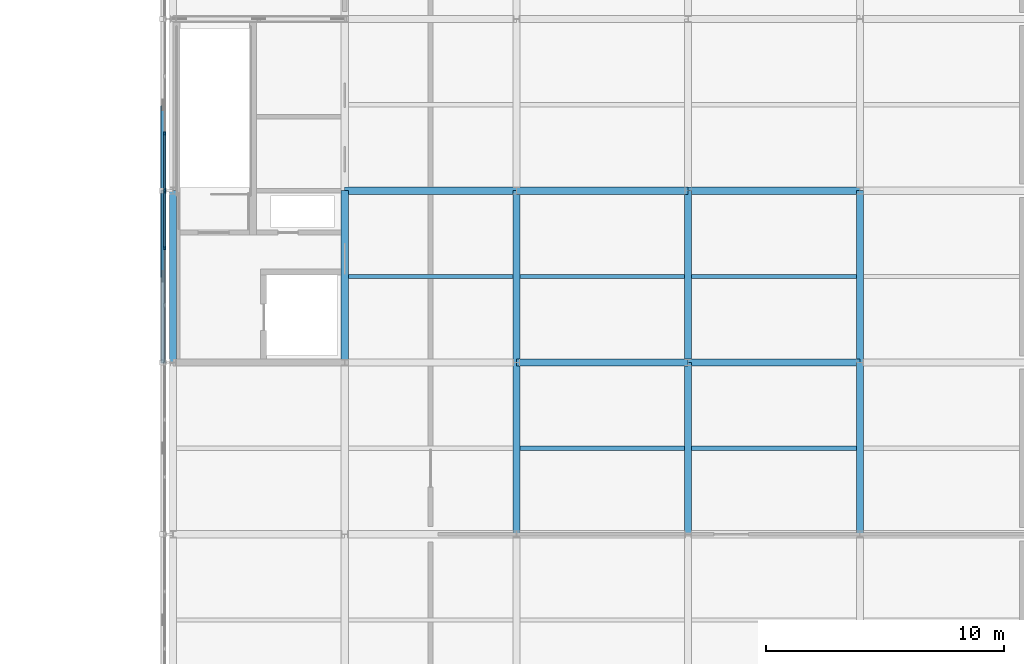
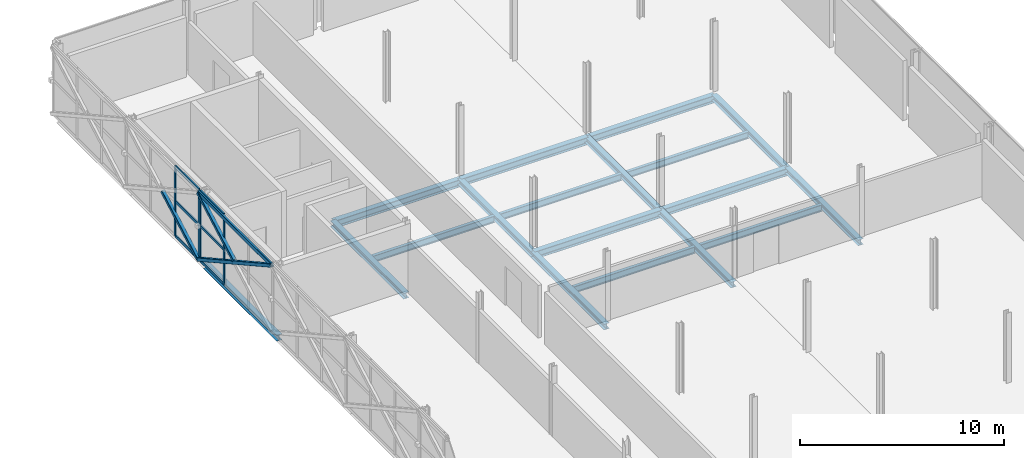
# One storey, part 75 of 146: 18 beams, 14 members, 2 elements without a shape of their own.
"""IFC4 building model written with IfcOpenShell, lengths in metres."""

from ifc_helpers import new_model, si_unit, direction, frame, origin, origin_2d, place, context, subcontext, project, spatial, rectangle, hollow_rectangle, i_section, extrude, material, material_profile, profile_set, type_object, element, aggregate, save


model = new_model("IFC4")

# Units and contexts
model_context = context("Model", 3, precision=1e-05, world=origin(), true_north=direction((0.0, 1.0)))
body_context = subcontext(model_context, "Body", "Model", "MODEL_VIEW")
ifc_project = project(units=[si_unit("LENGTHUNIT", "METRE"), si_unit("AREAUNIT", "SQUARE_METRE"), si_unit("VOLUMEUNIT", "CUBIC_METRE"), si_unit("PLANEANGLEUNIT", "RADIAN"), si_unit("MASSUNIT", "GRAM", prefix="KILO")], contexts=[model_context])

# Site, building, storey
site_placement = place(None, origin())
site = spatial("IfcSite", under=ifc_project, at=site_placement, CompositionType="ELEMENT")
building_placement = place(site_placement, origin())
building = spatial("IfcBuilding", under=site, at=building_placement, Name="Zlatovets Crest Museum", CompositionType="ELEMENT")
storey_placement = place(building_placement, frame((0.0, 0.0, 4.5)))
storey = spatial("IfcBuildingStorey", under=building, at=storey_placement, Name="L01", CompositionType="ELEMENT", Elevation=4.5)

# Beams
ifc_material_1 = material(Name="Structural steel S355J2", Category="steel")
ifc_material_profile_1 = material_profile(ifc_material_1, i_section(OverallWidth=0.300048828125, OverallDepth=0.35009765625, WebThickness=0.010009765625, FlangeThickness=0.017578125, FilletRadius=0.027099609375, at=origin_2d()), Name="HEA 360")
ifc_profile_set_1 = profile_set([ifc_material_profile_1], Name="Structural steel S355J2")
beam_type_1 = type_object("IfcBeamType", Name="Beam_B-03", PredefinedType="BEAM", material=ifc_profile_set_1)
for number, where, z_axis, x_axis, name in (
    (1, (129.60009765625, 79.199951171875, -0.39501953125), (0.0, 1.0, 0.0), (-1.0, 0.0, 0.0), "V5 L01 Grid Beam B-03"),
    (2, (136.800048828125, 79.199951171875, -0.39501953125), (0.0, 1.0, 0.0), (-1.0, 0.0, 0.0), "V5 L01 Grid Beam B-03"),
    (3, (144.0, 72.0, -0.39501953125), (0.0, 1.0, 0.0), (-1.0, 0.0, 0.0), "V5 L01 Grid Beam B-03"),
    (4, (144.0, 79.199951171875, -0.39501953125), (0.0, 1.0, 0.0), (-1.0, 0.0, 0.0), "V5 L01 Grid Beam B-03"),
    (5, (151.199951171875, 72.0, -0.39501953125), (0.0, 1.0, 0.0), (-1.0, 0.0, 0.0), "V5 L01 Grid Beam B-03"),
    (6, (151.199951171875, 79.199951171875, -0.39501953125), (0.0, 1.0, 0.0), (-1.0, 0.0, 0.0), "V5 L01 Grid Beam B-03"),
    (7, (158.39990234375, 72.0, -0.39501953125), (0.0, 1.0, 0.0), (-1.0, 0.0, 0.0), "V5 L01 Grid Beam B-03"),
    (8, (158.39990234375, 79.199951171875, -0.39501953125), (0.0, 1.0, 0.0), (-1.0, 0.0, 0.0), "V5 L01 Grid Beam B-03"),
):
    element("IfcBeam", number, at=place(storey_placement, frame(where, z_axis=z_axis, x_axis=x_axis)), inside=storey, type_object=beam_type_1, Name=name, PredefinedType="BEAM", context=body_context, shape_type="SweptSolid", body=[
        extrude(i_section(OverallWidth=0.300048828125, OverallDepth=0.35009765625, WebThickness=0.010009765625, FlangeThickness=0.017578125, FilletRadius=0.027099609375, at=origin_2d()), origin(), (0.0, 0.0, 1.0), 7.199951171875),
    ])
ifc_material_profile_2 = material_profile(ifc_material_1, i_section(OverallWidth=0.300048828125, OverallDepth=0.43994140625, WebThickness=0.011474609375, FlangeThickness=0.02099609375, FilletRadius=0.027099609375, at=origin_2d()), Name="HEA 450")
ifc_profile_set_2 = profile_set([ifc_material_profile_2], Name="Structural steel S355J2")
beam_type_2 = type_object("IfcBeamType", Name="Beam_B-10", PredefinedType="BEAM", material=ifc_profile_set_2)
for number, where, z_axis, x_axis, name in (
    (9, (144.0, 79.199951171875, -0.43994140625), (1.0, 0.0, 0.0), (0.0, 1.0, 0.0), "V5 L01 Primary Girder B-10"),
    (10, (151.199951171875, 79.199951171875, -0.43994140625), (1.0, 0.0, 0.0), (0.0, 1.0, 0.0), "V5 L01 Primary Girder B-10"),
    (11, (136.800048828125, 86.39990234375, -0.43994140625), (1.0, 0.0, 0.0), (0.0, 1.0, 0.0), "V5 L01 Primary Girder B-10"),
    (12, (144.0, 86.39990234375, -0.43994140625), (1.0, 0.0, 0.0), (0.0, 1.0, 0.0), "V5 L01 Primary Girder B-10"),
    (13, (151.199951171875, 86.39990234375, -0.43994140625), (1.0, 0.0, 0.0), (0.0, 1.0, 0.0), "V5 L01 Primary Girder B-10"),
):
    element("IfcBeam", number, at=place(storey_placement, frame(where, z_axis=z_axis, x_axis=x_axis)), inside=storey, type_object=beam_type_2, Name=name, PredefinedType="BEAM", context=body_context, shape_type="SweptSolid", body=[
        extrude(i_section(OverallWidth=0.300048828125, OverallDepth=0.43994140625, WebThickness=0.011474609375, FlangeThickness=0.02099609375, FilletRadius=0.027099609375, at=origin_2d()), origin(), (0.0, 0.0, 1.0), 7.199951171875),
    ])
ifc_material_profile_3 = material_profile(ifc_material_1, i_section(OverallWidth=0.179931640625, OverallDepth=0.39990234375, WebThickness=0.008544921875, FlangeThickness=0.013427734375, FilletRadius=0.02099609375, at=origin_2d()), Name="IPE 400")
ifc_profile_set_3 = profile_set([ifc_material_profile_3], Name="Structural steel S355J2")
beam_type_3 = type_object("IfcBeamType", Name="Beam_J-04", PredefinedType="JOIST", material=ifc_profile_set_3)
for number, where, z_axis, x_axis, name in (
    (14, (136.949951171875, 82.800048828125, -0.419921875), (1.0, 0.0, 0.0), (0.0, 1.0, 0.0), "V5 L01 Composite Joist J-04"),
    (15, (144.14990234375, 75.60009765625, -0.419921875), (1.0, 0.0, 0.0), (0.0, 1.0, 0.0), "V5 L01 Composite Joist J-04"),
    (16, (144.14990234375, 82.800048828125, -0.419921875), (1.0, 0.0, 0.0), (0.0, 1.0, 0.0), "V5 L01 Composite Joist J-04"),
):
    element("IfcBeam", number, at=place(storey_placement, frame(where, z_axis=z_axis, x_axis=x_axis)), inside=storey, type_object=beam_type_3, Name=name, PredefinedType="JOIST", context=body_context, shape_type="SweptSolid", body=[
        extrude(i_section(OverallWidth=0.179931640625, OverallDepth=0.39990234375, WebThickness=0.008544921875, FlangeThickness=0.013427734375, FilletRadius=0.02099609375, at=origin_2d()), origin(), (0.0, 0.0, 1.0), 6.900146484375),
    ])
for number, where, z_axis, x_axis, name in (
    (17, (151.35009765625, 75.60009765625, -0.419921875), (1.0, 0.0, 0.0), (0.0, 1.0, 0.0), "V5 L01 Composite Joist J-04"),
    (18, (151.35009765625, 82.800048828125, -0.419921875), (1.0, 0.0, 0.0), (0.0, 1.0, 0.0), "V5 L01 Composite Joist J-04"),
):
    element("IfcBeam", number, at=place(storey_placement, frame(where, z_axis=z_axis, x_axis=x_axis)), inside=storey, type_object=beam_type_3, Name=name, PredefinedType="JOIST", context=body_context, shape_type="SweptSolid", body=[
        extrude(i_section(OverallWidth=0.179931640625, OverallDepth=0.39990234375, WebThickness=0.008544921875, FlangeThickness=0.013427734375, FilletRadius=0.02099609375, at=origin_2d()), origin(), (0.0, 0.0, 1.0), 6.89990234375),
    ])

# Curtain wall, members
ifc_material_2 = material(Name="Bronze-anodised aluminium and low-E triple glass", Category="aluminium")
curtain_wall_type_1 = type_object("IfcCurtainWallType", Name="CW_CW-V5-L01-M3", PredefinedType="NOTDEFINED", material=ifc_material_2)
curtain_wall_1_placement = place(storey_placement, origin())
curtain_wall_1 = element("IfcCurtainWall", 19, at=curtain_wall_1_placement, inside=storey, type_object=curtain_wall_type_1, Name="V5 L01 Expressed Core Glazed Facade", PredefinedType="NOTDEFINED")
ifc_material_3 = material(Name="Bronze-anodised aluminium EN AW-6060", Category="aluminium")
ifc_material_profile_4 = material_profile(ifc_material_3, rectangle(XDim=0.080078125, YDim=0.159912109375, at=origin_2d()), Name="ALU 80x160")
ifc_profile_set_4 = profile_set([ifc_material_profile_4], Name="Bronze-anodised aluminium EN AW-6060")
member_type_1 = type_object("IfcMemberType", Name="CWMull_M1", PredefinedType="MULLION", material=ifc_profile_set_4)
member_1_placement = place(storey_placement, frame((129.260009765625, 88.800048828125, 0.0), z_axis=(0.0, 0.0, 1.0), x_axis=(1.0, 0.0, 0.0)))
member_1 = element("IfcMember", 20, at=member_1_placement, type_object=member_type_1, Name="CW-V5-L01-M3 mullion 3", PredefinedType="MULLION", context=body_context, shape_type="SweptSolid", body=[
    extrude(rectangle(XDim=0.080078125, YDim=0.159912109375, at=origin_2d()), origin(), (0.0, 0.0, 1.0), 4.199951171875),
])
member_2_placement = place(storey_placement, frame((129.260009765625, 86.429931640625, 0.0), z_axis=(0.0, 0.0, 1.0), x_axis=(1.0, 0.0, 0.0)))
member_2 = element("IfcMember", 21, at=member_2_placement, type_object=member_type_1, Name="CW-V5-L01-M3 mullion 4", PredefinedType="MULLION", context=body_context, shape_type="SweptSolid", body=[
    extrude(rectangle(XDim=0.080078125, YDim=0.159912109375, at=origin_2d()), origin(), (0.0, 0.0, 1.0), 4.199951171875),
])

curtain_wall_type_2 = type_object("IfcCurtainWallType", Name="CW_CW-V5-L01-M0", PredefinedType="NOTDEFINED", material=ifc_material_2)
curtain_wall_2_placement = place(storey_placement, origin())
curtain_wall_2 = element("IfcCurtainWall", 22, at=curtain_wall_2_placement, inside=storey, type_object=curtain_wall_type_2, Name="V5 L01 Expressed Core Glazed Facade", PredefinedType="NOTDEFINED")
member_3_placement = place(storey_placement, frame((129.260009765625, 86.3701171875, 0.0), z_axis=(0.0, 0.0, 1.0), x_axis=(1.0, 0.0, 0.0)))
member_3 = element("IfcMember", 23, at=member_3_placement, type_object=member_type_1, Name="CW-V5-L01-M0 mullion 1", PredefinedType="MULLION", context=body_context, shape_type="SweptSolid", body=[
    extrude(rectangle(XDim=0.080078125, YDim=0.159912109375, at=origin_2d()), origin(), (0.0, 0.0, 1.0), 4.199951171875),
])
member_4_placement = place(storey_placement, frame((129.260009765625, 84.0, 0.0), z_axis=(0.0, 0.0, 1.0), x_axis=(1.0, 0.0, 0.0)))
member_4 = element("IfcMember", 24, at=member_4_placement, type_object=member_type_1, Name="CW-V5-L01-M0 mullion 2", PredefinedType="MULLION", context=body_context, shape_type="SweptSolid", body=[
    extrude(rectangle(XDim=0.080078125, YDim=0.159912109375, at=origin_2d()), origin(), (0.0, 0.0, 1.0), 4.199951171875),
])

# Member
ifc_material_profile_5 = material_profile(ifc_material_3, rectangle(XDim=0.080078125, YDim=0.159912109375, at=origin_2d()), Name="ALU 80x160")
ifc_profile_set_5 = profile_set([ifc_material_profile_5], Name="Bronze-anodised aluminium EN AW-6060")
member_type_2 = type_object("IfcMemberType", Name="CWTrans_T1", PredefinedType="USERDEFINED", material=ifc_profile_set_5)
member_5_placement = place(storey_placement, frame((129.260009765625, 88.77001953125, 0.030029296875), z_axis=(0.0, -1.0, 0.0), x_axis=(1.0, 0.0, 0.0)))
member_5 = element("IfcMember", 25, at=member_5_placement, type_object=member_type_2, Name="CW-V5-L01-M3 transom 3.1", ObjectType="TRANSOM", PredefinedType="USERDEFINED", context=body_context, shape_type="SweptSolid", body=[
    extrude(rectangle(XDim=0.080078125, YDim=0.159912109375, at=origin_2d()), origin(), (0.0, 0.0, 1.0), 2.31005859375),
])

member_6_placement = place(storey_placement, frame((129.260009765625, 88.77001953125, 2.10009765625), z_axis=(0.0, -1.0, 0.0), x_axis=(1.0, 0.0, 0.0)))
member_6 = element("IfcMember", 26, at=member_6_placement, type_object=member_type_2, Name="CW-V5-L01-M3 transom 3.2", ObjectType="TRANSOM", PredefinedType="USERDEFINED", context=body_context, shape_type="SweptSolid", body=[
    extrude(rectangle(XDim=0.080078125, YDim=0.159912109375, at=origin_2d()), origin(), (0.0, 0.0, 1.0), 2.31005859375),
])

member_7_placement = place(storey_placement, frame((129.260009765625, 88.77001953125, 4.169921875), z_axis=(0.0, -1.0, 0.0), x_axis=(1.0, 0.0, 0.0)))
member_7 = element("IfcMember", 27, at=member_7_placement, type_object=member_type_2, Name="CW-V5-L01-M3 transom 3.3", ObjectType="TRANSOM", PredefinedType="USERDEFINED", context=body_context, shape_type="SweptSolid", body=[
    extrude(rectangle(XDim=0.080078125, YDim=0.159912109375, at=origin_2d()), origin(), (0.0, 0.0, 1.0), 2.31005859375),
])

aggregate(curtain_wall_1, [member_1, member_2, member_5, member_6, member_7])

member_8_placement = place(storey_placement, frame((129.260009765625, 86.340087890625, 0.030029296875), z_axis=(0.0, -1.0, 0.0), x_axis=(1.0, 0.0, 0.0)))
member_8 = element("IfcMember", 28, at=member_8_placement, type_object=member_type_2, Name="CW-V5-L01-M0 transom 1.1", ObjectType="TRANSOM", PredefinedType="USERDEFINED", context=body_context, shape_type="SweptSolid", body=[
    extrude(rectangle(XDim=0.080078125, YDim=0.159912109375, at=origin_2d()), origin(), (0.0, 0.0, 1.0), 2.31005859375),
])

member_9_placement = place(storey_placement, frame((129.260009765625, 86.340087890625, 2.10009765625), z_axis=(0.0, -1.0, 0.0), x_axis=(1.0, 0.0, 0.0)))
member_9 = element("IfcMember", 29, at=member_9_placement, type_object=member_type_2, Name="CW-V5-L01-M0 transom 1.2", ObjectType="TRANSOM", PredefinedType="USERDEFINED", context=body_context, shape_type="SweptSolid", body=[
    extrude(rectangle(XDim=0.080078125, YDim=0.159912109375, at=origin_2d()), origin(), (0.0, 0.0, 1.0), 2.31005859375),
])

member_10_placement = place(storey_placement, frame((129.260009765625, 86.340087890625, 4.169921875), z_axis=(0.0, -1.0, 0.0), x_axis=(1.0, 0.0, 0.0)))
member_10 = element("IfcMember", 30, at=member_10_placement, type_object=member_type_2, Name="CW-V5-L01-M0 transom 1.3", ObjectType="TRANSOM", PredefinedType="USERDEFINED", context=body_context, shape_type="SweptSolid", body=[
    extrude(rectangle(XDim=0.080078125, YDim=0.159912109375, at=origin_2d()), origin(), (0.0, 0.0, 1.0), 2.31005859375),
])

aggregate(curtain_wall_2, [member_3, member_4, member_8, member_9, member_10])

# Members
ifc_material_4 = material(Name="Weathering bronze-steel S355J2W", Category="steel")
ifc_material_profile_6 = material_profile(ifc_material_4, hollow_rectangle(XDim=0.199951171875, YDim=0.199951171875, WallThickness=0.012451171875, InnerFilletRadius=0.012451171875, OuterFilletRadius=0.02490234375, at=origin_2d()), Name="SHS 200x200x12.5")
ifc_profile_set_6 = profile_set([ifc_material_profile_6], Name="Weathering bronze-steel S355J2W")
member_type_3 = type_object("IfcMemberType", Name="Lattice_XL-02", PredefinedType="BRACE", material=ifc_profile_set_6)
member_11_placement = place(storey_placement, frame((129.179931640625, 89.9169921875, 2.053955078125), z_axis=(0.0, -0.874165862873, -0.485627474703), x_axis=(1.0, 0.0, 0.0)))
element("IfcMember", 31, at=member_11_placement, inside=storey, type_object=member_type_3, Name="Split Crossing Bronze Lattice Diagonal Lower", PredefinedType="BRACE", context=body_context, shape_type="SweptSolid", body=[
    extrude(hollow_rectangle(XDim=0.199951171875, YDim=0.199951171875, WallThickness=0.012451171875, InnerFilletRadius=0.012451171875, OuterFilletRadius=0.02490234375, at=origin_2d()), origin(), (0.0, 0.0, 1.0), 4.0234375),
])
member_12_placement = place(storey_placement, frame((129.179931640625, 86.39990234375, 0.10009765625), z_axis=(0.0, -0.874155877937, 0.485645447903), x_axis=(1.0, 0.0, 0.0)))
element("IfcMember", 32, at=member_12_placement, inside=storey, type_object=member_type_3, Name="Continuous Bronze Lattice Diagonal", PredefinedType="BRACE", context=body_context, shape_type="SweptSolid", body=[
    extrude(hollow_rectangle(XDim=0.199951171875, YDim=0.199951171875, WallThickness=0.012451171875, InnerFilletRadius=0.012451171875, OuterFilletRadius=0.02490234375, at=origin_2d()), origin(), (0.0, 0.0, 1.0), 8.236572265625),
])
member_13_placement = place(storey_placement, frame((129.179931640625, 86.39990234375, 4.10009765625), z_axis=(0.0, -0.874125788284, -0.485699604958), x_axis=(1.0, 0.0, 0.0)))
element("IfcMember", 33, at=member_13_placement, inside=storey, type_object=member_type_3, Name="Split Crossing Bronze Lattice Diagonal Upper", PredefinedType="BRACE", context=body_context, shape_type="SweptSolid", body=[
    extrude(hollow_rectangle(XDim=0.199951171875, YDim=0.199951171875, WallThickness=0.012451171875, InnerFilletRadius=0.012451171875, OuterFilletRadius=0.02490234375, at=origin_2d()), origin(), (0.0, 0.0, 1.0), 4.023193359375),
])
ifc_material_profile_7 = material_profile(ifc_material_4, hollow_rectangle(XDim=0.1201171875, YDim=0.239990234375, WallThickness=0.010009765625, InnerFilletRadius=0.010009765625, OuterFilletRadius=0.02001953125, at=origin_2d()), Name="RHS 120x240x10.0")
ifc_profile_set_7 = profile_set([ifc_material_profile_7], Name="Weathering bronze-steel S355J2W")
member_type_4 = type_object("IfcMemberType", Name="Lattice_XL-04", PredefinedType="CHORD", material=ifc_profile_set_7)
member_14_placement = place(storey_placement, frame((129.179931640625, 86.39990234375, 4.10009765625), z_axis=(0.0, -1.0, 0.0), x_axis=(1.0, 0.0, 0.0)))
element("IfcMember", 34, at=member_14_placement, inside=storey, type_object=member_type_4, Name="Art Nouveau Woven Cage Collector Ring Chord", PredefinedType="CHORD", context=body_context, shape_type="SweptSolid", body=[
    extrude(hollow_rectangle(XDim=0.1201171875, YDim=0.239990234375, WallThickness=0.010009765625, InnerFilletRadius=0.010009765625, OuterFilletRadius=0.02001953125, at=origin_2d()), origin(), (0.0, 0.0, 1.0), 7.199951171875),
])

save(model, "model.ifc")
